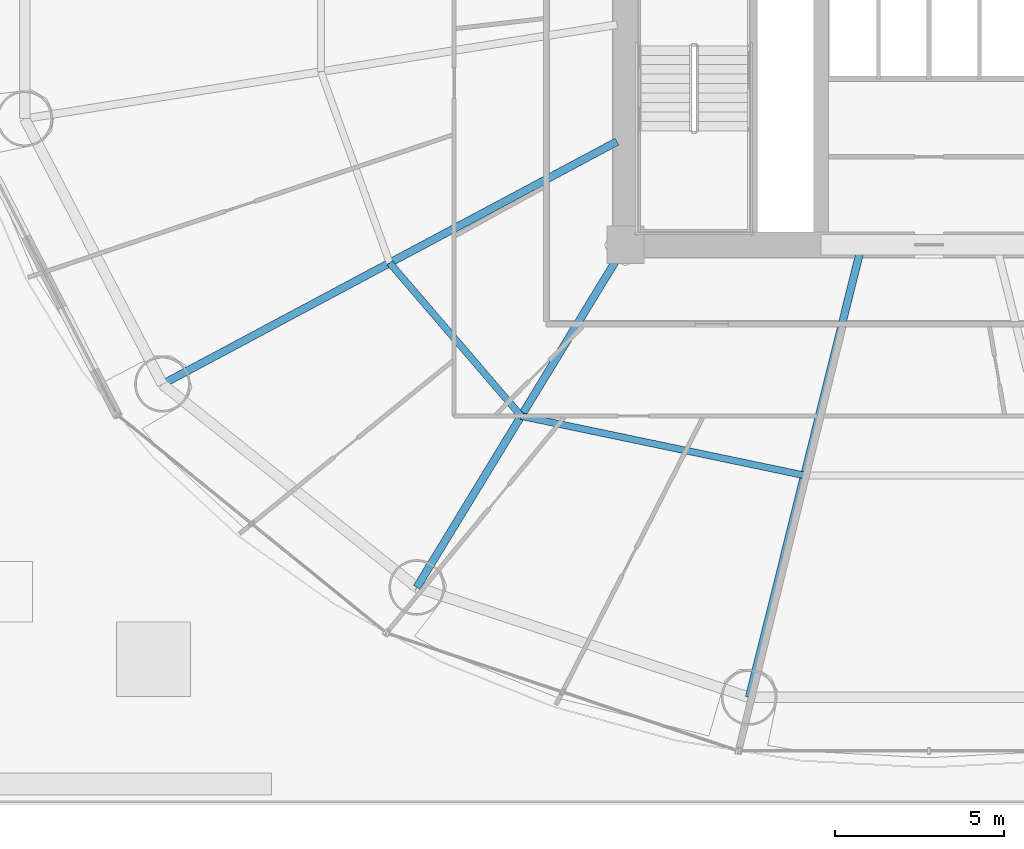
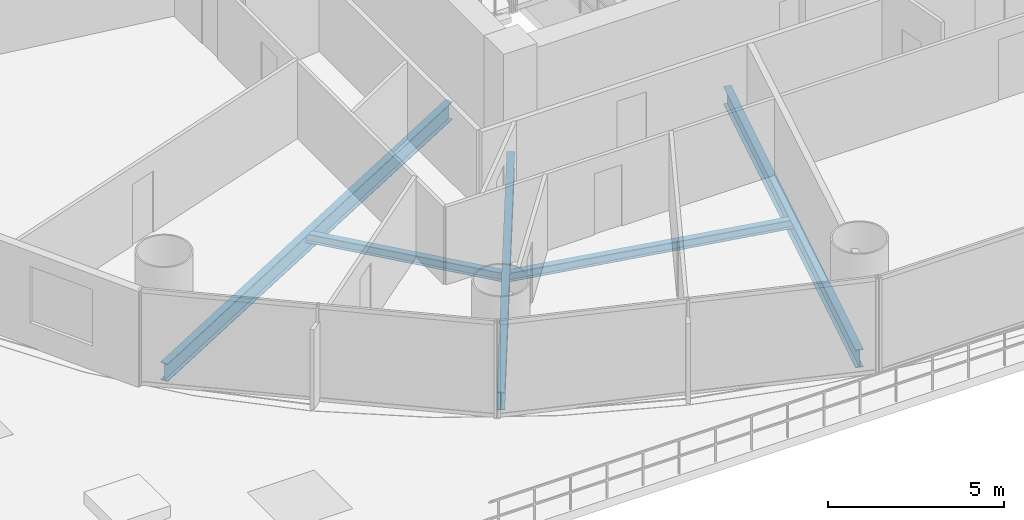
# One storey, part 6 of 37: 5 beams.
"""IFC4 building model written with IfcOpenShell, lengths in metres."""

from ifc_helpers import new_model, si_unit, direction, frame, origin, origin_2d, place, context, subcontext, project, spatial, i_section, extrude, material, material_profile, profile_set, type_object, element, save


model = new_model("IFC4")

# Units and contexts
model_context = context("Model", 3, precision=1e-05, world=origin(), true_north=direction((-0.2419218956, 0.970295726276)))
body_context = subcontext(model_context, "Body", "Model", "MODEL_VIEW")
ifc_project = project(units=[si_unit("LENGTHUNIT", "METRE"), si_unit("AREAUNIT", "SQUARE_METRE"), si_unit("VOLUMEUNIT", "CUBIC_METRE"), si_unit("PLANEANGLEUNIT", "RADIAN"), si_unit("MASSUNIT", "GRAM", prefix="KILO")], contexts=[model_context])

# Site, building, storey
site_placement = place(None, origin())
site = spatial("IfcSite", under=ifc_project, at=site_placement, CompositionType="ELEMENT")
building_placement = place(site_placement, origin())
building = spatial("IfcBuilding", under=site, at=building_placement, Name="Cobrevalo Terracotta Tower", CompositionType="ELEMENT")
storey_placement = place(building_placement, frame((0.0, 0.0, 24.0)))
storey = spatial("IfcBuildingStorey", under=building, at=storey_placement, Name="L05", CompositionType="ELEMENT", Elevation=24.0)

# Beams
ifc_material = material(Name="Steel S355", Category="steel")
ifc_material_profile_1 = material_profile(ifc_material, i_section(OverallWidth=0.22998046875, OverallDepth=0.616943359375, WebThickness=0.01318359375, FlangeThickness=0.022216796875, at=origin_2d()), Name="W 610x140")
ifc_profile_set_1 = profile_set([ifc_material_profile_1], Name="Steel S355")
beam_type_1 = type_object("IfcBeamType", Name="Structural Beam W 610x140 (Steel S355)", PredefinedType="BEAM", material=ifc_profile_set_1)
beam_1_placement = place(storey_placement, frame((15.25927734375, 14.660888671875, -0.58837890625), z_axis=(0.88218223571, 0.470908168329, 0.0), x_axis=(-0.470908168329, 0.88218223571, 0.0)))
element("IfcBeam", 1, at=beam_1_placement, inside=storey, type_object=beam_type_1, Name="L05 radial floor girder 10", PredefinedType="BEAM", context=body_context, shape_type="SweptSolid", body=[
    extrude(i_section(OverallWidth=0.22998046875, OverallDepth=0.616943359375, WebThickness=0.01318359375, FlangeThickness=0.022216796875, at=origin_2d()), origin(), (0.0, 0.0, 1.0), 15.286865234375),
])
beam_2_placement = place(storey_placement, frame((22.80517578125, 8.63232421875, -0.58837890625), z_axis=(0.520300780853, 0.853983077961, 0.0), x_axis=(-0.853983077961, 0.520300780853, 0.0)))
element("IfcBeam", 2, at=beam_2_placement, inside=storey, type_object=beam_type_1, Name="L05 radial floor girder 11", PredefinedType="BEAM", context=body_context, shape_type="SweptSolid", body=[
    extrude(i_section(OverallWidth=0.22998046875, OverallDepth=0.616943359375, WebThickness=0.01318359375, FlangeThickness=0.022216796875, at=origin_2d()), origin(), (0.0, 0.0, 1.0), 11.90625),
])
beam_3_placement = place(storey_placement, frame((32.664306640625, 5.369873046875, -0.58837890625), z_axis=(0.241600470374, 0.970375810042, 0.0), x_axis=(-0.970375810042, 0.241600470374, 0.0)))
element("IfcBeam", 3, at=beam_3_placement, inside=storey, type_object=beam_type_1, Name="L05 radial floor girder 12", PredefinedType="BEAM", context=body_context, shape_type="SweptSolid", body=[
    extrude(i_section(OverallWidth=0.22998046875, OverallDepth=0.616943359375, WebThickness=0.01318359375, FlangeThickness=0.022216796875, at=origin_2d()), origin(), (0.0, 0.0, 1.0), 13.5771484375),
])
ifc_material_profile_2 = material_profile(ifc_material, i_section(OverallWidth=0.2041015625, OverallDepth=0.305908203125, WebThickness=0.008544921875, FlangeThickness=0.0146484375, at=origin_2d()), Name="W 310x67")
ifc_profile_set_2 = profile_set([ifc_material_profile_2], Name="Steel S355")
beam_type_2 = type_object("IfcBeamType", Name="Structural Joist W 310x67 (Steel S355)", PredefinedType="JOIST", material=ifc_profile_set_2)
beam_4_placement = place(storey_placement, frame((22.002197265625, 18.26025390625, -0.43310546875), z_axis=(0.651328404454, -0.758795960421, 0.0), x_axis=(0.758795960421, 0.651328404454, 0.0)))
element("IfcBeam", 4, at=beam_4_placement, inside=storey, type_object=beam_type_2, Name="L05 circumferential secondary floor joist 10", PredefinedType="JOIST", context=body_context, shape_type="SweptSolid", body=[
    extrude(i_section(OverallWidth=0.2041015625, OverallDepth=0.305908203125, WebThickness=0.008544921875, FlangeThickness=0.0146484375, at=origin_2d()), origin(), (0.0, 0.0, 1.0), 5.98828125),
])
beam_5_placement = place(storey_placement, frame((25.902587890625, 13.71630859375, -0.43310546875), z_axis=(0.978784523904, -0.204892302848, 0.0), x_axis=(0.204892302848, 0.978784523904, 0.0)))
element("IfcBeam", 5, at=beam_5_placement, inside=storey, type_object=beam_type_2, Name="L05 circumferential secondary floor joist 11", PredefinedType="JOIST", context=body_context, shape_type="SweptSolid", body=[
    extrude(i_section(OverallWidth=0.2041015625, OverallDepth=0.305908203125, WebThickness=0.008544921875, FlangeThickness=0.0146484375, at=origin_2d()), origin(), (0.0, 0.0, 1.0), 8.583984375),
])

save(model, "model.ifc")
